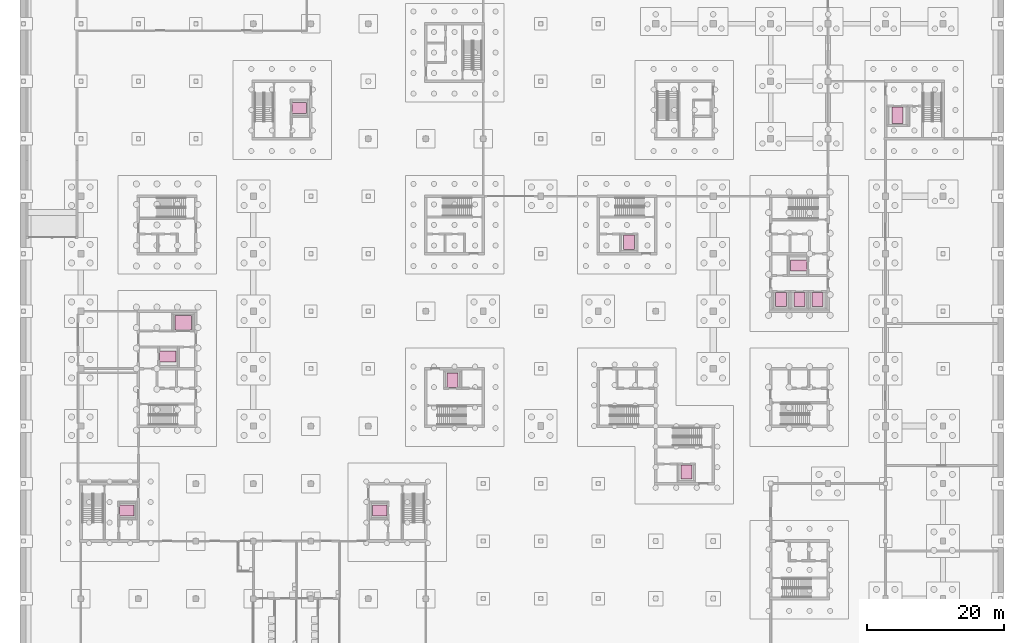
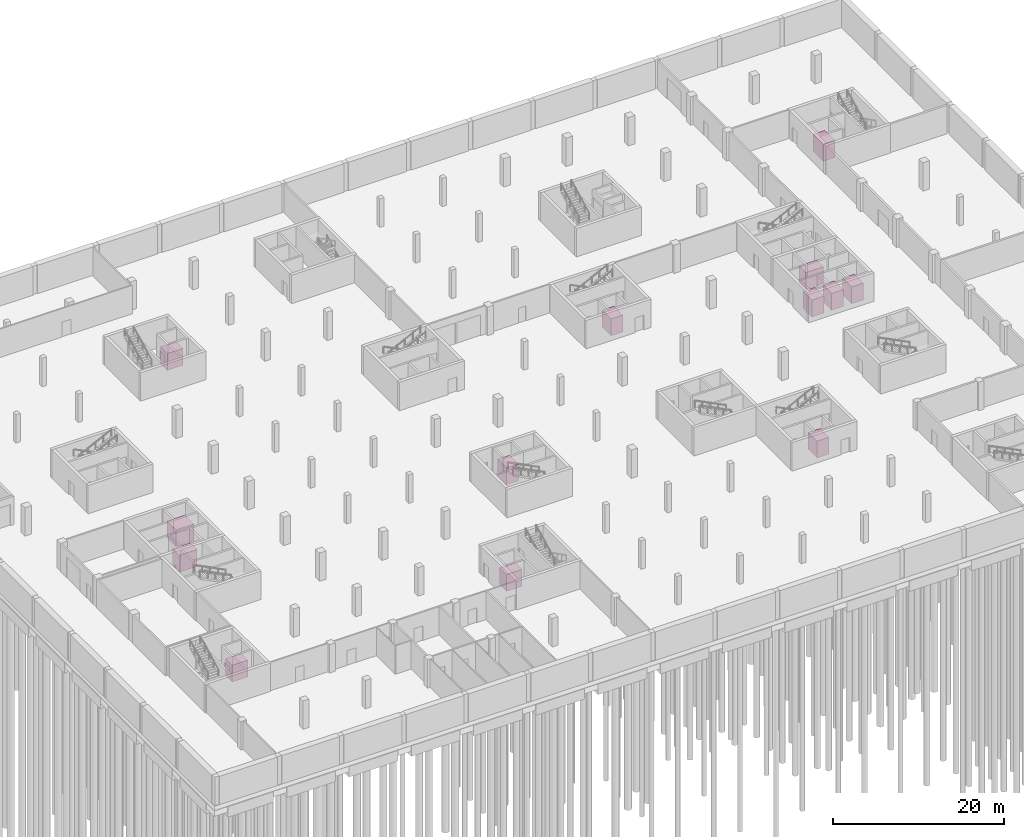
# One storey, part 23 of 23: 13 transport elements.
"""IFC4 building model written with IfcOpenShell, lengths in metres."""

from ifc_helpers import new_model, si_unit, direction, frame, origin, origin_2d, place, context, subcontext, project, spatial, rectangle, extrude, material, type_object, element, save


model = new_model("IFC4")

# Units and contexts
model_context = context("Model", 3, precision=1e-05, world=origin(), true_north=direction((0.0, 1.0)))
body_context = subcontext(model_context, "Body", "Model", "MODEL_VIEW")
ifc_project = project(units=[si_unit("LENGTHUNIT", "METRE"), si_unit("AREAUNIT", "SQUARE_METRE"), si_unit("VOLUMEUNIT", "CUBIC_METRE"), si_unit("PLANEANGLEUNIT", "RADIAN"), si_unit("MASSUNIT", "GRAM", prefix="KILO")], contexts=[model_context])

# Site, building, storey
site_placement = place(None, origin())
site = spatial("IfcSite", under=ifc_project, at=site_placement, CompositionType="ELEMENT")
building_placement = place(site_placement, origin())
building = spatial("IfcBuilding", under=site, at=building_placement, Name="Hlaing Beacon Police Headquarters", CompositionType="ELEMENT")
storey_placement = place(building_placement, frame((0.0, 0.0, -4.5)))
storey = spatial("IfcBuildingStorey", under=building, at=storey_placement, Name="B1", CompositionType="ELEMENT", Elevation=-4.5)

# Transport elements
ifc_material_1 = material(Name="Stainless steel lift car", Category="steel")
transport_element_type_1 = type_object("IfcTransportElementType", Name="Firefighting lift 1600 kg", PredefinedType="ELEVATOR", material=ifc_material_1)
for number, where, z_axis, x_axis, name in (
    (1, (113.300048828125, 57.050048828125, 0.0), (0.0, 0.0, 1.0), (1.0, 0.0, 0.0), "Firefighting lift FL1"),
    (2, (21.10009765625, 43.75, 0.0), (0.0, 0.0, 1.0), (1.0, 0.0, 0.0), "Firefighting lift FL2"),
):
    element("IfcTransportElement", number, at=place(storey_placement, frame(where, z_axis=z_axis, x_axis=x_axis)), inside=storey, type_object=transport_element_type_1, Name=name, PredefinedType="ELEVATOR", context=body_context, shape_type="SweptSolid", body=[
        extrude(rectangle(XDim=2.39990234375, YDim=1.60009765625, at=origin_2d()), origin(), (0.0, 0.0, 1.0), 2.39990234375),
    ])
transport_element_1_placement = place(storey_placement, frame((127.72509765625, 79.050048828125, 0.0), z_axis=(0.0, 0.0, 1.0), x_axis=(1.0, 0.0, 0.0)))
element("IfcTransportElement", 3, at=transport_element_1_placement, inside=storey, type_object=transport_element_type_1, Name="Firefighting lift FL3", PredefinedType="ELEVATOR", context=body_context, shape_type="SweptSolid", body=[
    extrude(rectangle(XDim=1.60009765625, YDim=2.39990234375, at=origin_2d()), origin(), (0.0, 0.0, 1.0), 2.39990234375),
])
ifc_material_2 = material(Name="Stainless steel lift car", Category="steel")
transport_element_type_2 = type_object("IfcTransportElementType", Name="Goods lift 2500 kg", PredefinedType="ELEVATOR", material=ifc_material_2)
transport_element_2_placement = place(storey_placement, frame((23.35009765625, 48.699951171875, 0.0), z_axis=(0.0, 0.0, 1.0), x_axis=(1.0, 0.0, 0.0)))
element("IfcTransportElement", 4, at=transport_element_2_placement, inside=storey, type_object=transport_element_type_2, Name="Evidence goods lift EL1", PredefinedType="ELEVATOR", context=body_context, shape_type="SweptSolid", body=[
    extrude(rectangle(XDim=2.39990234375, YDim=2.10009765625, at=origin_2d()), origin(), (0.0, 0.0, 1.0), 2.39990234375),
])
ifc_material_3 = material(Name="Stainless steel lift car", Category="steel")
transport_element_type_3 = type_object("IfcTransportElementType", Name="Passenger lift 1600 kg", PredefinedType="ELEVATOR", material=ifc_material_3)
for number, where, z_axis, x_axis, name in (
    (5, (62.72509765625, 40.300048828125, 0.0), (0.0, 0.0, 1.0), (1.0, 0.0, 0.0), "Passenger lift PL1"),
    (6, (88.47509765625, 60.5, 0.0), (0.0, 0.0, 1.0), (1.0, 0.0, 0.0), "Passenger lift PL2"),
):
    element("IfcTransportElement", number, at=place(storey_placement, frame(where, z_axis=z_axis, x_axis=x_axis)), inside=storey, type_object=transport_element_type_3, Name=name, PredefinedType="ELEVATOR", context=body_context, shape_type="SweptSolid", body=[
        extrude(rectangle(XDim=1.60009765625, YDim=2.10009765625, at=origin_2d()), origin(), (0.0, 0.0, 1.0), 2.39990234375),
    ])
transport_element_3_placement = place(storey_placement, frame((40.300048828125, 80.074951171875, 0.0), z_axis=(0.0, 0.0, 1.0), x_axis=(1.0, 0.0, 0.0)))
element("IfcTransportElement", 7, at=transport_element_3_placement, inside=storey, type_object=transport_element_type_3, Name="Passenger lift PL3", PredefinedType="ELEVATOR", context=body_context, shape_type="SweptSolid", body=[
    extrude(rectangle(XDim=2.10009765625, YDim=1.60009765625, at=origin_2d()), origin(), (0.0, 0.0, 1.0), 2.39990234375),
])
transport_element_4_placement = place(storey_placement, frame((96.875, 26.89990234375, 0.0), z_axis=(0.0, 0.0, 1.0), x_axis=(1.0, 0.0, 0.0)))
element("IfcTransportElement", 8, at=transport_element_4_placement, inside=storey, type_object=transport_element_type_3, Name="Passenger lift PL4", PredefinedType="ELEVATOR", context=body_context, shape_type="SweptSolid", body=[
    extrude(rectangle(XDim=1.60009765625, YDim=2.10009765625, at=origin_2d()), origin(), (0.0, 0.0, 1.0), 2.39990234375),
])
for number, where, z_axis, x_axis, name in (
    (9, (15.10009765625, 21.27490234375, 0.0), (0.0, 0.0, 1.0), (1.0, 0.0, 0.0), "Passenger lift PL5"),
    (10, (52.10009765625, 21.27490234375, 0.0), (0.0, 0.0, 1.0), (1.0, 0.0, 0.0), "Passenger lift PL6"),
):
    element("IfcTransportElement", number, at=place(storey_placement, frame(where, z_axis=z_axis, x_axis=x_axis)), inside=storey, type_object=transport_element_type_3, Name=name, PredefinedType="ELEVATOR", context=body_context, shape_type="SweptSolid", body=[
        extrude(rectangle(XDim=2.10009765625, YDim=1.60009765625, at=origin_2d()), origin(), (0.0, 0.0, 1.0), 2.39990234375),
    ])
for number, where, z_axis, x_axis, name in (
    (11, (110.72509765625, 52.10009765625, 0.0), (0.0, 0.0, 1.0), (1.0, 0.0, 0.0), "Passenger lift PL7"),
    (12, (113.39990234375, 52.10009765625, 0.0), (0.0, 0.0, 1.0), (1.0, 0.0, 0.0), "Passenger lift PL8"),
    (13, (116.074951171875, 52.10009765625, 0.0), (0.0, 0.0, 1.0), (1.0, 0.0, 0.0), "Passenger lift PL9"),
):
    element("IfcTransportElement", number, at=place(storey_placement, frame(where, z_axis=z_axis, x_axis=x_axis)), inside=storey, type_object=transport_element_type_3, Name=name, PredefinedType="ELEVATOR", context=body_context, shape_type="SweptSolid", body=[
        extrude(rectangle(XDim=1.60009765625, YDim=2.10009765625, at=origin_2d()), origin(), (0.0, 0.0, 1.0), 2.39990234375),
    ])

save(model, "model.ifc")
